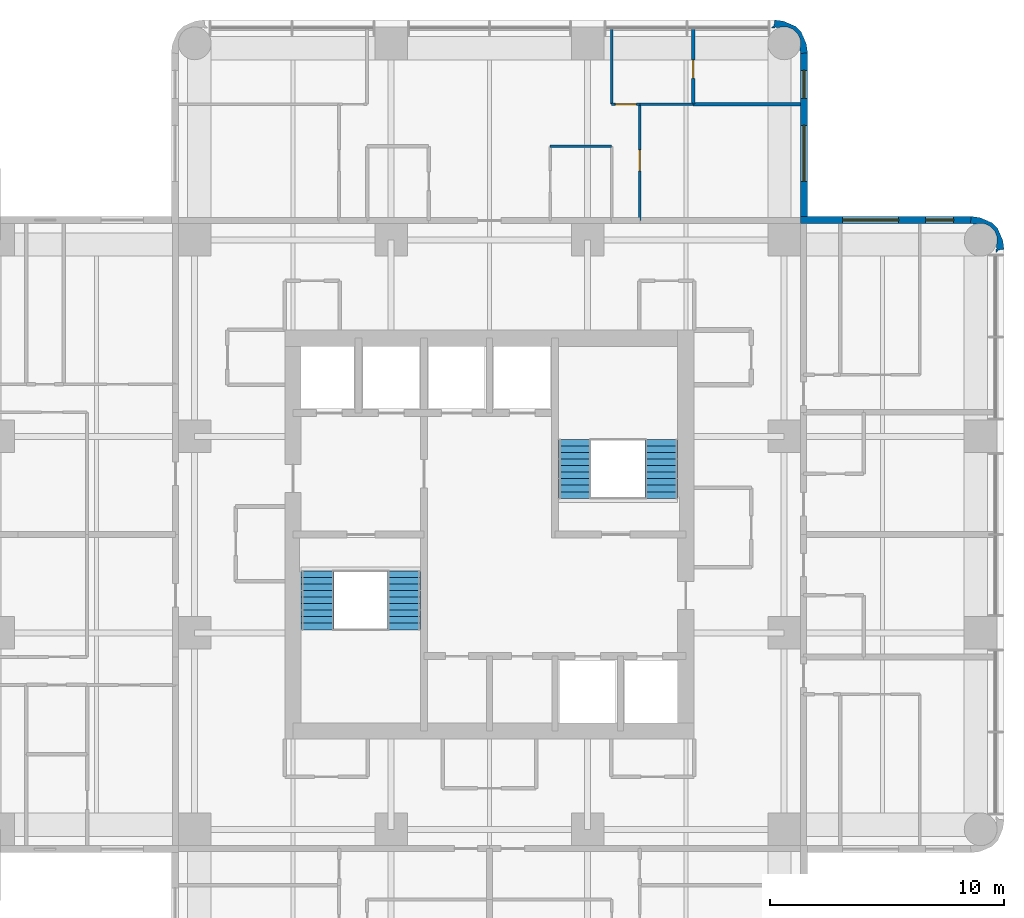
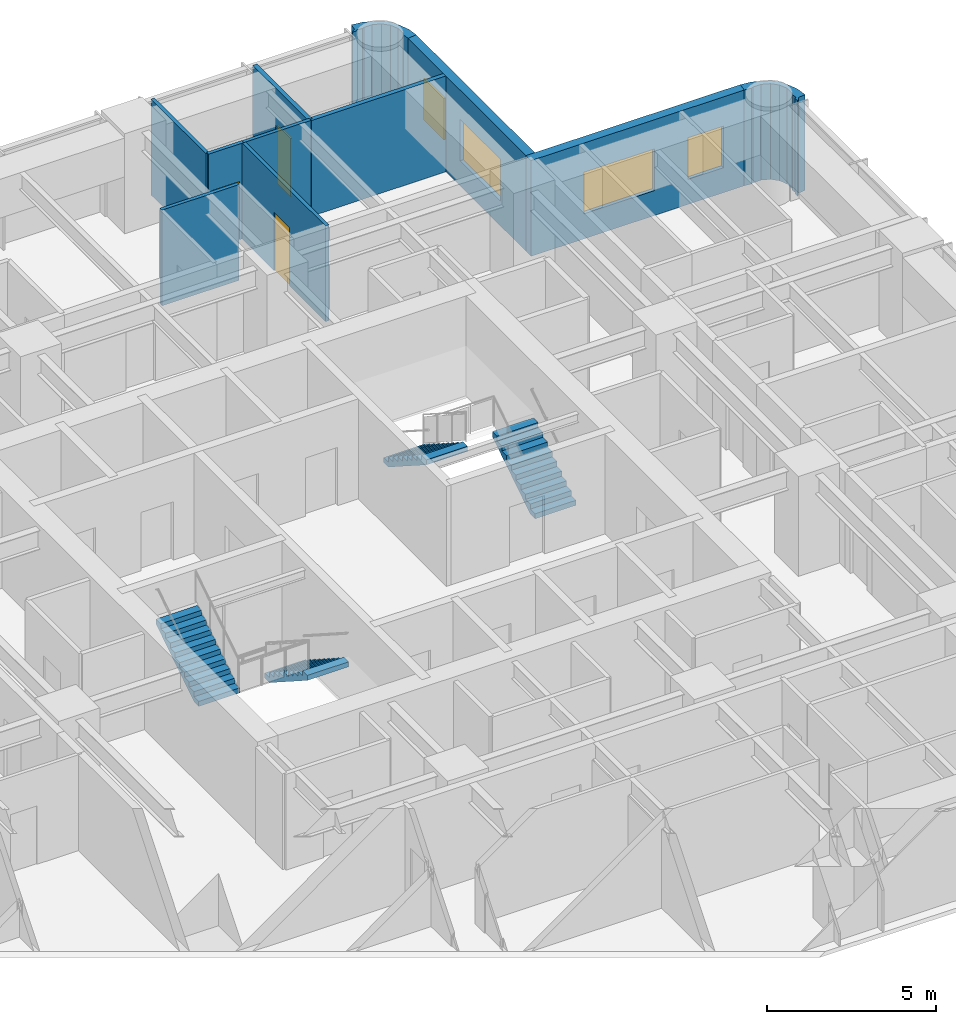
# One storey, part 10 of 11: 11 walls, 4 stair flights, 4 windows, 3 doors, 7 openings, 2 elements without a shape of their own.
"""IFC4 building model written with IfcOpenShell, lengths in metres."""

from ifc_helpers import new_model, si_unit, direction, frame, frame_2d, origin, place, context, subcontext, project, spatial, polyline, rectangle, outline, extrude, material, layer, layer_set, type_object, element, fill, aggregate, save


model = new_model("IFC4")

# Units and contexts
model_context = context("Model", 3, precision=1e-05, world=origin(), true_north=direction((0.0, 1.0)))
body_context = subcontext(model_context, "Body", "Model", "MODEL_VIEW")
ifc_project = project(units=[si_unit("LENGTHUNIT", "METRE"), si_unit("AREAUNIT", "SQUARE_METRE"), si_unit("VOLUMEUNIT", "CUBIC_METRE"), si_unit("PLANEANGLEUNIT", "RADIAN"), si_unit("MASSUNIT", "GRAM", prefix="KILO")], contexts=[model_context])

# Site, building, storey
site_placement = place(None, origin())
site = spatial("IfcSite", under=ifc_project, at=site_placement, CompositionType="ELEMENT")
building_placement = place(site_placement, origin())
building = spatial("IfcBuilding", under=site, at=building_placement, Name="Torre Alcanfor", CompositionType="ELEMENT")
storey_placement = place(building_placement, frame((0.0, 0.0, 230.10009765625)))
storey = spatial("IfcBuildingStorey", under=building, at=storey_placement, Name="L60", CompositionType="ELEMENT", Elevation=230.10009765625)

# Wall
ifc_material_1 = material(Name="Gypsum board on steel studs", Category="steel")
ifc_layer_1 = layer(ifc_material_1, 0.1201171875)
ifc_layer_set_1 = layer_set([ifc_layer_1], Name="Apartment partition 120")
wall_type_1 = type_object("IfcWallType", Name="Apartment partition 120", PredefinedType="PARTITIONING", material=ifc_layer_set_1)
wall_1_placement = place(storey_placement, frame((34.62890625, 46.0, 0.0), z_axis=(0.0, 0.0, 1.0), x_axis=(-1.0, 0.0, 0.0)))
element("IfcWall", 1, at=wall_1_placement, inside=storey, type_object=wall_type_1, Name="Partition L60-NX-KITCHEN / L60-NX-LIVING", PredefinedType="PARTITIONING", context=body_context, shape_type="SweptSolid", body=[
    extrude(rectangle(XDim=2.62890625, YDim=0.1201171875, at=frame_2d((1.314453125, 0.0))), origin(), (0.0, 0.0, 1.0), 3.449951171875),
])

# Wall, opening, door
wall_2_placement = place(storey_placement, frame((35.8291015625, 47.800048828125, 0.0), z_axis=(0.0, 0.0, 1.0), x_axis=(0.0, -1.0, 0.0)))
wall_2 = element("IfcWall", 2, at=wall_2_placement, inside=storey, type_object=wall_type_1, Name="Partition L60-NX-LIVING / L60-NX-BED3", PredefinedType="PARTITIONING", context=body_context, shape_type="SweptSolid", body=[
    extrude(rectangle(XDim=4.97509765625, YDim=0.1201171875, at=frame_2d((2.487548828125, 0.0))), origin(), (0.0, 0.0, 1.0), 3.449951171875),
])
opening_1_placement = place(wall_2_placement, frame((1.949951171875, 0.0, 0.0)))
opening_1 = element("IfcOpeningElement", 3, at=opening_1_placement, cuts=wall_2, Name="Opening D-R1", PredefinedType="OPENING", context=body_context, shape_type="SweptSolid", body=[
    extrude(rectangle(XDim=0.89990234375, YDim=2.10009765625, at=frame_2d((0.449951171875, 1.050048828125))), frame((0.0, 0.070068359375, 0.0), z_axis=(0.0, -1.0, 0.0), x_axis=(1.0, 0.0, 0.0)), (0.0, 0.0, 1.0), 0.14013671875),
])
ifc_material_2 = material(Name="Timber", Category="wood")
door_type_1 = type_object("IfcDoorType", Name="Internal door 900x2100", OperationType="SINGLE_SWING_LEFT", PredefinedType="DOOR", material=ifc_material_2)
door_1_placement = place(opening_1_placement, origin())
door_1 = element("IfcDoor", 4, at=door_1_placement, inside=storey, type_object=door_type_1, Name="Door L60-NX bed3", OperationType="SINGLE_SWING_LEFT", OverallHeight=2.10009765625, OverallWidth=0.89990234375, PredefinedType="DOOR", context=body_context, shape_type="SweptSolid", body=[
    extrude(rectangle(XDim=0.89990234375, YDim=2.10009765625, at=frame_2d((0.449951171875, 1.050048828125))), frame((0.0, 0.02490234375, 0.0), z_axis=(0.0, -1.0, 0.0), x_axis=(1.0, 0.0, 0.0)), (0.0, 0.0, 1.0), 0.050048828125),
])
fill(opening_1, door_1)

# Wall
wall_3_placement = place(storey_placement, frame((34.62890625, 51.050048828125, 0.0), z_axis=(0.0, 0.0, 1.0), x_axis=(0.0, -1.0, 0.0)))
element("IfcWall", 5, at=wall_3_placement, inside=storey, type_object=wall_type_1, Name="Partition L60-NX-LIVING / L60-NX-BED1", PredefinedType="PARTITIONING", context=body_context, shape_type="SweptSolid", body=[
    extrude(rectangle(XDim=3.25, YDim=0.1201171875, at=frame_2d((1.625, 0.0))), origin(), (0.0, 0.0, 1.0), 3.449951171875),
])

# Wall, opening, door
wall_4_placement = place(storey_placement, frame((34.62890625, 47.800048828125, 0.0), z_axis=(0.0, 0.0, 1.0), x_axis=(1.0, 0.0, 0.0)))
wall_4 = element("IfcWall", 6, at=wall_4_placement, inside=storey, type_object=wall_type_1, Name="Partition L60-NX-LIVING / L60-NX-BED1", PredefinedType="PARTITIONING", context=body_context, shape_type="SweptSolid", body=[
    extrude(rectangle(XDim=1.2001953125, YDim=0.1201171875, at=frame_2d((0.60009765625, 0.0))), origin(), (0.0, 0.0, 1.0), 3.449951171875),
])
opening_2_placement = place(wall_4_placement, frame((0.15087890625, 0.0, 0.0)))
opening_2 = element("IfcOpeningElement", 7, at=opening_2_placement, cuts=wall_4, Name="Opening D-R1", PredefinedType="OPENING", context=body_context, shape_type="SweptSolid", body=[
    extrude(rectangle(XDim=0.89990234375, YDim=2.10009765625, at=frame_2d((0.449951171875, 1.050048828125))), frame((0.0, 0.070068359375, 0.0), z_axis=(0.0, -1.0, 0.0), x_axis=(1.0, 0.0, 0.0)), (0.0, 0.0, 1.0), 0.14013671875),
])
door_2_placement = place(opening_2_placement, origin())
door_2 = element("IfcDoor", 8, at=door_2_placement, inside=storey, type_object=door_type_1, Name="Door L60-NX bed1", OperationType="SINGLE_SWING_LEFT", OverallHeight=2.10009765625, OverallWidth=0.89990234375, PredefinedType="DOOR", context=body_context, shape_type="SweptSolid", body=[
    extrude(rectangle(XDim=0.89990234375, YDim=2.10009765625, at=frame_2d((0.449951171875, 1.050048828125))), frame((0.0, 0.02490234375, 0.0), z_axis=(0.0, -1.0, 0.0), x_axis=(1.0, 0.0, 0.0)), (0.0, 0.0, 1.0), 0.050048828125),
])
fill(opening_2, door_2)

# Wall
wall_5_placement = place(storey_placement, frame((38.114013671875, 47.800048828125, 0.0), z_axis=(0.0, 0.0, 1.0), x_axis=(-1.0, 0.0, 0.0)))
element("IfcWall", 9, at=wall_5_placement, inside=storey, type_object=wall_type_1, Name="Partition L60-NX-BED3 / L60-NX-BED1", PredefinedType="PARTITIONING", context=body_context, shape_type="SweptSolid", body=[
    extrude(rectangle(XDim=2.284912109375, YDim=0.1201171875, at=frame_2d((1.142578125, 0.0))), origin(), (0.0, 0.0, 1.0), 3.449951171875),
])

# Wall, openings, windows
ifc_material_3 = material(Name="Limestone cladding", Category="masonry")
ifc_layer_2 = layer(ifc_material_3, 0.0400390625, Name="Facing")
ifc_material_4 = material(Name="Ventilated air cavity")
ifc_layer_3 = layer(ifc_material_4, 0.02001953125, ventilated=True, Name="Ventilated joint")
ifc_material_5 = material(Name="Mineral wool insulation", Category="insulation")
ifc_layer_4 = layer(ifc_material_5, 0.10009765625, Name="Insulation")
ifc_material_6 = material(Name="Concrete f'c 35 MPa", Category="concrete")
ifc_layer_5 = layer(ifc_material_6, 0.139892578125, Name="Backing")
ifc_layer_set_2 = layer_set([ifc_layer_2, ifc_layer_3, ifc_layer_4, ifc_layer_5], Name="External wall stone-clad 300")
wall_type_2 = type_object("IfcWallType", Name="External wall stone-clad 300", PredefinedType="SOLIDWALL", material=ifc_layer_set_2)
wall_6_placement = place(storey_placement, frame((50.0, 42.85009765625, 0.0), z_axis=(0.0, 0.0, 1.0), x_axis=(-1.0, 0.0, 0.0)))
wall_6 = element("IfcWall", 10, at=wall_6_placement, inside=storey, type_object=wall_type_2, Name="External wall L60 9", PredefinedType="SOLIDWALL", context=body_context, shape_type="SweptSolid", body=[
    extrude(rectangle(XDim=7.300048828125, YDim=0.300048828125, at=frame_2d((3.64990234375, 0.0))), origin(), (0.0, 0.0, 1.0), 3.449951171875),
])
opening_3_placement = place(wall_6_placement, frame((3.10009765625, 0.0, 0.89990234375)))
opening_3 = element("IfcOpeningElement", 11, at=opening_3_placement, cuts=wall_6, Name="Opening W1", PredefinedType="OPENING", context=body_context, shape_type="SweptSolid", body=[
    extrude(rectangle(XDim=2.39990234375, YDim=1.5, at=frame_2d((1.199951171875, 0.75))), frame((0.0, 0.159912109375, 0.0), z_axis=(0.0, -1.0, 0.0), x_axis=(1.0, 0.0, 0.0)), (0.0, 0.0, 1.0), 0.320068359375),
])
opening_4_placement = place(wall_6_placement, frame((0.75, 0.0, 0.89990234375)))
opening_4 = element("IfcOpeningElement", 12, at=opening_4_placement, cuts=wall_6, Name="Opening W4", PredefinedType="OPENING", context=body_context, shape_type="SweptSolid", body=[
    extrude(rectangle(XDim=1.199951171875, YDim=1.5, at=frame_2d((0.60009765625, 0.75))), frame((0.0, 0.159912109375, 0.0), z_axis=(0.0, -1.0, 0.0), x_axis=(1.0, 0.0, 0.0)), (0.0, 0.0, 1.0), 0.320068359375),
])
ifc_material_7 = material(Name="Aluminium frame with clear double glazing", Category="aluminium")
window_type_1 = type_object("IfcWindowType", Name="Window bedroom 1200x1500", PartitioningType="SINGLE_PANEL", PredefinedType="WINDOW", material=ifc_material_7)
window_1_placement = place(opening_4_placement, origin())
window_1 = element("IfcWindow", 13, at=window_1_placement, inside=storey, type_object=window_type_1, Name="Window W4 L60-E1", OverallHeight=1.5, OverallWidth=1.199951171875, PartitioningType="SINGLE_PANEL", PredefinedType="WINDOW", context=body_context, shape_type="SweptSolid", body=[
    extrude(rectangle(XDim=1.199951171875, YDim=1.5, at=frame_2d((0.60009765625, 0.75))), frame((0.0, 0.030029296875, 0.0), z_axis=(0.0, -1.0, 0.0), x_axis=(1.0, 0.0, 0.0)), (0.0, 0.0, 1.0), 0.06005859375),
])
fill(opening_4, window_1)
ifc_material_8 = material(Name="Aluminium frame with clear double glazing", Category="aluminium")
window_type_2 = type_object("IfcWindowType", Name="Window bedroom 2400x1500", PartitioningType="SINGLE_PANEL", PredefinedType="WINDOW", material=ifc_material_8)
window_2_placement = place(opening_3_placement, origin())
window_2 = element("IfcWindow", 14, at=window_2_placement, inside=storey, type_object=window_type_2, Name="Window W1 L60-E1", OverallHeight=1.5, OverallWidth=2.39990234375, PartitioningType="SINGLE_PANEL", PredefinedType="WINDOW", context=body_context, shape_type="SweptSolid", body=[
    extrude(rectangle(XDim=2.39990234375, YDim=1.5, at=frame_2d((1.199951171875, 0.75))), frame((0.0, 0.030029296875, 0.0), z_axis=(0.0, -1.0, 0.0), x_axis=(1.0, 0.0, 0.0)), (0.0, 0.0, 1.0), 0.06005859375),
])
fill(opening_3, window_2)

wall_7_placement = place(storey_placement, frame((42.85009765625, 43.0, 0.0), z_axis=(0.0, 0.0, 1.0), x_axis=(0.0, 1.0, 0.0)))
wall_7 = element("IfcWall", 15, at=wall_7_placement, inside=storey, type_object=wall_type_2, Name="External wall L60 10", PredefinedType="SOLIDWALL", context=body_context, shape_type="SweptSolid", body=[
    extrude(rectangle(XDim=7.0, YDim=0.300048828125, at=frame_2d((3.5, 0.0))), origin(), (0.0, 0.0, 1.0), 3.449951171875),
])
opening_5_placement = place(wall_7_placement, frame((1.5, 0.0, 0.89990234375)))
opening_5 = element("IfcOpeningElement", 16, at=opening_5_placement, cuts=wall_7, Name="Opening W1", PredefinedType="OPENING", context=body_context, shape_type="SweptSolid", body=[
    extrude(rectangle(XDim=2.39990234375, YDim=1.5, at=frame_2d((1.199951171875, 0.75))), frame((0.0, 0.159912109375, 0.0), z_axis=(0.0, -1.0, 0.0), x_axis=(1.0, 0.0, 0.0)), (0.0, 0.0, 1.0), 0.320068359375),
])
opening_6_placement = place(wall_7_placement, frame((5.050048828125, 0.0, 0.89990234375)))
opening_6 = element("IfcOpeningElement", 17, at=opening_6_placement, cuts=wall_7, Name="Opening W4", PredefinedType="OPENING", context=body_context, shape_type="SweptSolid", body=[
    extrude(rectangle(XDim=1.199951171875, YDim=1.5, at=frame_2d((0.60009765625, 0.75))), frame((0.0, 0.159912109375, 0.0), z_axis=(0.0, -1.0, 0.0), x_axis=(1.0, 0.0, 0.0)), (0.0, 0.0, 1.0), 0.320068359375),
])
window_3_placement = place(opening_6_placement, origin())
window_3 = element("IfcWindow", 18, at=window_3_placement, inside=storey, type_object=window_type_1, Name="Window W4 L60-N2", OverallHeight=1.5, OverallWidth=1.199951171875, PartitioningType="SINGLE_PANEL", PredefinedType="WINDOW", context=body_context, shape_type="SweptSolid", body=[
    extrude(rectangle(XDim=1.199951171875, YDim=1.5, at=frame_2d((0.60009765625, 0.75))), frame((0.0, 0.030029296875, 0.0), z_axis=(0.0, -1.0, 0.0), x_axis=(1.0, 0.0, 0.0)), (0.0, 0.0, 1.0), 0.06005859375),
])
fill(opening_6, window_3)
window_4_placement = place(opening_5_placement, origin())
window_4 = element("IfcWindow", 19, at=window_4_placement, inside=storey, type_object=window_type_2, Name="Window W1 L60-N2", OverallHeight=1.5, OverallWidth=2.39990234375, PartitioningType="SINGLE_PANEL", PredefinedType="WINDOW", context=body_context, shape_type="SweptSolid", body=[
    extrude(rectangle(XDim=2.39990234375, YDim=1.5, at=frame_2d((1.199951171875, 0.75))), frame((0.0, 0.030029296875, 0.0), z_axis=(0.0, -1.0, 0.0), x_axis=(1.0, 0.0, 0.0)), (0.0, 0.0, 1.0), 0.06005859375),
])
fill(opening_5, window_4)

# Walls
ifc_layer_6 = layer(ifc_material_3, 0.0400390625, Name="Facing")
ifc_layer_7 = layer(ifc_material_4, 0.02001953125, ventilated=True, Name="Ventilated joint")
ifc_layer_8 = layer(ifc_material_5, 0.10009765625, Name="Insulation")
ifc_layer_9 = layer(ifc_material_6, 0.139892578125, Name="Backing")
ifc_layer_set_3 = layer_set([ifc_layer_6, ifc_layer_7, ifc_layer_8, ifc_layer_9], Name="Rounded corner pier stone-clad 300")
wall_type_3 = type_object("IfcWallType", Name="Rounded corner pier stone-clad 300", PredefinedType="SOLIDWALL", material=ifc_layer_set_3)
wall_8_placement = place(storey_placement, frame((50.98815184, 41.487674505, 0.0), z_axis=(0.0, 0.0, 1.0), x_axis=(0.898030234854, 0.439933741929, 0.0)))
element("IfcWall", 20, at=wall_8_placement, inside=storey, type_object=wall_type_3, Name="Corner pier L60 18", PredefinedType="SOLIDWALL", context=body_context, shape_type="SweptSolid", body=[
    extrude(outline(polyline([(0.13762845900144902, -0.0395605783475044), (0.18185793649134802, -0.00033087416050568697), (0.41922313919285215, -0.08018355093564442), (0.535860291835806, 0.2661211239178742), (0.5587746083679793, 0.6308813409414961), (0.5545700157158291, 0.6511558966825934), (0.5663920082639611, 0.8356681075750403), (0.45545119814889223, 1.159160361177863), (0.33312688681130387, 1.297925592490813), (0.32402252373636403, 1.3165225487705126), (0.08234923743790223, 1.5906923948786469), (-0.22206721491752535, 1.7928353560160377), (-0.38958661601048106, 1.540782159618673), (-0.3718277173231749, 1.5320822980229156), (-0.19464371431186422, 1.4142897687749243), (-0.11970407362674929, 1.4096575385515544), (0.13067447329798665, 1.2870002306212465), (0.31526160288378063, 1.0777694581339308), (0.4057356995697948, 0.8140544036891404), (0.38812563637514036, 0.5355946934281371), (0.26546832844483254, 0.28521614650340116), (0.2089867161004748, 0.23540500505176065), (0.14757776297591008, 0.05289210976982966), (0.10504410439149783, 0.07372881532016215), (0.03190082356790798, -0.07557748105089318), (0.13762845900144902, -0.0395605783475044)])), origin(), (0.0, 0.0, 1.0), 3.449951171875),
])
wall_9_placement = place(storey_placement, frame((42.724211819, 50.110315272, 0.0), z_axis=(0.0, 0.0, 1.0), x_axis=(0.439933741929, 0.898030234854, 0.0)))
element("IfcWall", 21, at=wall_9_placement, inside=storey, type_object=wall_type_3, Name="Corner pier L60 19", PredefinedType="SOLIDWALL", context=body_context, shape_type="SweptSolid", body=[
    extrude(outline(polyline([(-0.14525732426811072, -0.04414433895897353), (0.0222620768248451, -0.29619753535633836), (0.3266785291802725, -0.09405457421894756), (0.5683518154787345, 0.1801152718891868), (0.5774561785536743, 0.19871222816888634), (0.6997804898912626, 0.33747745948183633), (0.8107213000063315, 0.6609697130846591), (0.7988993074581994, 0.8454819239771059), (0.8031039001103497, 0.8657564797182034), (0.7801895835781762, 1.2305166967418253), (0.6635524309352225, 1.5768213715953436), (0.42618722823371835, 1.496968694820205), (0.38195775074381944, 1.5361983990072037), (0.2762301153102783, 1.5722153017105926), (0.3493733961338682, 1.4229090053395372), (0.39190705471828047, 1.4437457108898697), (0.45331600784284515, 1.2612328156079387), (0.5097976201872029, 1.2114216741562982), (0.6324549281175107, 0.9610431272315622), (0.6500649913121652, 0.6825834169705589), (0.559590894626151, 0.4188683625257686), (0.37500376504035704, 0.20963759003845278), (0.1246252181156211, 0.08698028210814499), (0.04968557743050611, 0.08234805188477495), (-0.12749842558080457, -0.035444477363216154), (-0.14525732426811072, -0.04414433895897353)])), origin(), (0.0, 0.0, 1.0), 3.449951171875),
])
ifc_material_9 = material(Name="Cement board on steel studs", Category="steel")
ifc_layer_10 = layer(ifc_material_9, 0.14990234375)
ifc_layer_set_4 = layer_set([ifc_layer_10], Name="Wet area partition 150")
wall_type_4 = type_object("IfcWallType", Name="Wet area partition 150", PredefinedType="PARTITIONING", material=ifc_layer_set_4)
wall_10_placement = place(storey_placement, frame((42.699951171875, 47.800048828125, 0.0), z_axis=(0.0, 0.0, 1.0), x_axis=(-1.0, 0.0, 0.0)))
element("IfcWall", 22, at=wall_10_placement, inside=storey, type_object=wall_type_4, Name="Partition L60-NX-BED3 / L60-NX-BATH1", PredefinedType="PARTITIONING", context=body_context, shape_type="SweptSolid", body=[
    extrude(rectangle(XDim=4.5859375, YDim=0.14990234375, at=frame_2d((2.29296875, 0.0))), origin(), (0.0, 0.0, 1.0), 3.449951171875),
])

# Wall, opening, door
wall_11_placement = place(storey_placement, frame((38.114013671875, 51.050048828125, 0.0), z_axis=(0.0, 0.0, 1.0), x_axis=(0.0, -1.0, 0.0)))
wall_11 = element("IfcWall", 23, at=wall_11_placement, inside=storey, type_object=wall_type_4, Name="Partition L60-NX-BATH1 / L60-NX-BED1", PredefinedType="PARTITIONING", context=body_context, shape_type="SweptSolid", body=[
    extrude(rectangle(XDim=3.25, YDim=0.14990234375, at=frame_2d((1.625, 0.0))), origin(), (0.0, 0.0, 1.0), 3.449951171875),
])
opening_7_placement = place(wall_11_placement, frame((1.35009765625, 0.0, 0.0)))
opening_7 = element("IfcOpeningElement", 24, at=opening_7_placement, cuts=wall_11, Name="Opening D-R2", PredefinedType="OPENING", context=body_context, shape_type="SweptSolid", body=[
    extrude(rectangle(XDim=0.800048828125, YDim=2.10009765625, at=frame_2d((0.39990234375, 1.050048828125))), frame((0.0, 0.0849609375, 0.0), z_axis=(0.0, -1.0, 0.0), x_axis=(1.0, 0.0, 0.0)), (0.0, 0.0, 1.0), 0.169921875),
])
ifc_material_10 = material(Name="Timber", Category="wood")
door_type_2 = type_object("IfcDoorType", Name="Bathroom door 800x2100", OperationType="SINGLE_SWING_LEFT", PredefinedType="DOOR", material=ifc_material_10)
door_3_placement = place(opening_7_placement, frame((0.800048828125, 0.0, 0.0), z_axis=(0.0, 0.0, 1.0), x_axis=(-1.0, 0.0, 0.0)))
door_3 = element("IfcDoor", 25, at=door_3_placement, inside=storey, type_object=door_type_2, Name="Door L60-NX bath1", OperationType="SINGLE_SWING_LEFT", OverallHeight=2.10009765625, OverallWidth=0.800048828125, PredefinedType="DOOR", context=body_context, shape_type="SweptSolid", body=[
    extrude(rectangle(XDim=0.800048828125, YDim=2.10009765625, at=frame_2d((0.400146484375, 1.050048828125))), frame((0.0, 0.025146484375, 0.0), z_axis=(0.0, -1.0, 0.0), x_axis=(1.0, 0.0, 0.0)), (0.0, 0.0, 1.0), 0.050048828125),
])
fill(opening_7, door_3)

# Stair, stair flights
ifc_material_11 = material(Name="Concrete f'c 35 MPa", Category="concrete")
stair_type_1 = type_object("IfcStairType", Name="Exit stair S1 1400 wide", PredefinedType="HALF_TURN_STAIR", material=ifc_material_11)
stair_1_placement = place(storey_placement, origin())
stair_1 = element("IfcStair", 26, at=stair_1_placement, inside=storey, type_object=stair_type_1, Name="Stair S1 L60 to L61", PredefinedType="HALF_TURN_STAIR")
ifc_material_12 = material(Name="Concrete f'c 35 MPa", Category="concrete")
stair_flight_type = type_object("IfcStairFlightType", Name="Stair flight 1400", PredefinedType="STRAIGHT", material=ifc_material_12)
stair_flight_1_placement = place(storey_placement, frame((25.75, 27.85009765625, 0.0), z_axis=(0.0, 0.0, 1.0), x_axis=(0.0, -1.0, 0.0)))
stair_flight_1 = element("IfcStairFlight", 27, at=stair_flight_1_placement, type_object=stair_flight_type, Name="S1 flight 1", NumberOfRisers=10, NumberOfTreads=9, PredefinedType="STRAIGHT", RiserHeight=0.18, TreadLength=0.28, context=body_context, shape_type="SweptSolid", body=[
    extrude(outline(polyline([(0.0, 0.0), (0.0, 0.179931640625), (0.280029296875, 0.179931640625), (0.280029296875, 0.360107421875), (0.56005859375, 0.360107421875), (0.56005859375, 0.5400390625), (0.840087890625, 0.5400390625), (0.840087890625, 0.719970703125), (1.1201171875, 0.719970703125), (1.1201171875, 0.89990234375), (1.39990234375, 0.89990234375), (1.39990234375, 1.080078125), (1.679931640625, 1.080078125), (1.679931640625, 1.260009765625), (1.9599609375, 1.260009765625), (1.9599609375, 1.43994140625), (2.239990234375, 1.43994140625), (2.239990234375, 1.6201171875), (2.52001953125, 1.6201171875), (2.52001953125, 1.800048828125), (2.52001953125, 1.44189453125), (0.277099609375, 0.0), (0.0, 0.0)])), frame((0.0, 0.699951171875, 0.0), z_axis=(0.0, -1.0, 0.0), x_axis=(1.0, 0.0, 0.0)), (0.0, 0.0, 1.0), 1.39990234375),
])
stair_flight_2_placement = place(storey_placement, frame((22.050048828125, 25.330078125, 1.7998046875), z_axis=(0.0, 0.0, 1.0), x_axis=(0.0, 1.0, 0.0)))
stair_flight_2 = element("IfcStairFlight", 28, at=stair_flight_2_placement, type_object=stair_flight_type, Name="S1 flight 2", NumberOfRisers=10, NumberOfTreads=9, PredefinedType="STRAIGHT", RiserHeight=0.18, TreadLength=0.28, context=body_context, shape_type="SweptSolid", body=[
    extrude(outline(polyline([(0.0, 0.0), (0.0, 0.179931640625), (0.280029296875, 0.179931640625), (0.280029296875, 0.360107421875), (0.56005859375, 0.360107421875), (0.56005859375, 0.5400390625), (0.840087890625, 0.5400390625), (0.840087890625, 0.719970703125), (1.1201171875, 0.719970703125), (1.1201171875, 0.89990234375), (1.39990234375, 0.89990234375), (1.39990234375, 1.080078125), (1.679931640625, 1.080078125), (1.679931640625, 1.260009765625), (1.9599609375, 1.260009765625), (1.9599609375, 1.43994140625), (2.239990234375, 1.43994140625), (2.239990234375, 1.6201171875), (2.52001953125, 1.6201171875), (2.52001953125, 1.800048828125), (2.52001953125, 1.44189453125), (0.277099609375, 0.0), (0.0, 0.0)])), frame((0.0, 0.699951171875, 0.0), z_axis=(0.0, -1.0, 0.0), x_axis=(1.0, 0.0, 0.0)), (0.0, 0.0, 1.0), 1.39990234375),
])
aggregate(stair_1, [stair_flight_1, stair_flight_2])

ifc_material_13 = material(Name="Concrete f'c 35 MPa", Category="concrete")
stair_type_2 = type_object("IfcStairType", Name="Exit stair S2 1400 wide", PredefinedType="HALF_TURN_STAIR", material=ifc_material_13)
stair_2_placement = place(storey_placement, origin())
stair_2 = element("IfcStair", 29, at=stair_2_placement, inside=storey, type_object=stair_type_2, Name="Stair S2 L60 to L61", PredefinedType="HALF_TURN_STAIR")
stair_flight_3_placement = place(storey_placement, frame((36.75, 30.949951171875, 0.0), z_axis=(0.0, 0.0, 1.0), x_axis=(0.0, 1.0, 0.0)))
stair_flight_3 = element("IfcStairFlight", 30, at=stair_flight_3_placement, type_object=stair_flight_type, Name="S2 flight 1", NumberOfRisers=10, NumberOfTreads=9, PredefinedType="STRAIGHT", RiserHeight=0.18, TreadLength=0.28, context=body_context, shape_type="SweptSolid", body=[
    extrude(outline(polyline([(0.0, 0.0), (0.0, 0.179931640625), (0.280029296875, 0.179931640625), (0.280029296875, 0.360107421875), (0.56005859375, 0.360107421875), (0.56005859375, 0.5400390625), (0.840087890625, 0.5400390625), (0.840087890625, 0.719970703125), (1.1201171875, 0.719970703125), (1.1201171875, 0.89990234375), (1.39990234375, 0.89990234375), (1.39990234375, 1.080078125), (1.679931640625, 1.080078125), (1.679931640625, 1.260009765625), (1.9599609375, 1.260009765625), (1.9599609375, 1.43994140625), (2.239990234375, 1.43994140625), (2.239990234375, 1.6201171875), (2.52001953125, 1.6201171875), (2.52001953125, 1.800048828125), (2.52001953125, 1.44189453125), (0.277099609375, 0.0), (0.0, 0.0)])), frame((0.0, 0.699951171875, 0.0), z_axis=(0.0, -1.0, 0.0), x_axis=(1.0, 0.0, 0.0)), (0.0, 0.0, 1.0), 1.39990234375),
])
stair_flight_4_placement = place(storey_placement, frame((33.050048828125, 33.469970703125, 1.7998046875), z_axis=(0.0, 0.0, 1.0), x_axis=(0.0, -1.0, 0.0)))
stair_flight_4 = element("IfcStairFlight", 31, at=stair_flight_4_placement, type_object=stair_flight_type, Name="S2 flight 2", NumberOfRisers=10, NumberOfTreads=9, PredefinedType="STRAIGHT", RiserHeight=0.18, TreadLength=0.28, context=body_context, shape_type="SweptSolid", body=[
    extrude(outline(polyline([(0.0, 0.0), (0.0, 0.179931640625), (0.280029296875, 0.179931640625), (0.280029296875, 0.360107421875), (0.56005859375, 0.360107421875), (0.56005859375, 0.5400390625), (0.840087890625, 0.5400390625), (0.840087890625, 0.719970703125), (1.1201171875, 0.719970703125), (1.1201171875, 0.89990234375), (1.39990234375, 0.89990234375), (1.39990234375, 1.080078125), (1.679931640625, 1.080078125), (1.679931640625, 1.260009765625), (1.9599609375, 1.260009765625), (1.9599609375, 1.43994140625), (2.239990234375, 1.43994140625), (2.239990234375, 1.6201171875), (2.52001953125, 1.6201171875), (2.52001953125, 1.800048828125), (2.52001953125, 1.44189453125), (0.277099609375, 0.0), (0.0, 0.0)])), frame((0.0, 0.699951171875, 0.0), z_axis=(0.0, -1.0, 0.0), x_axis=(1.0, 0.0, 0.0)), (0.0, 0.0, 1.0), 1.39990234375),
])
aggregate(stair_2, [stair_flight_3, stair_flight_4])

save(model, "model.ifc")
